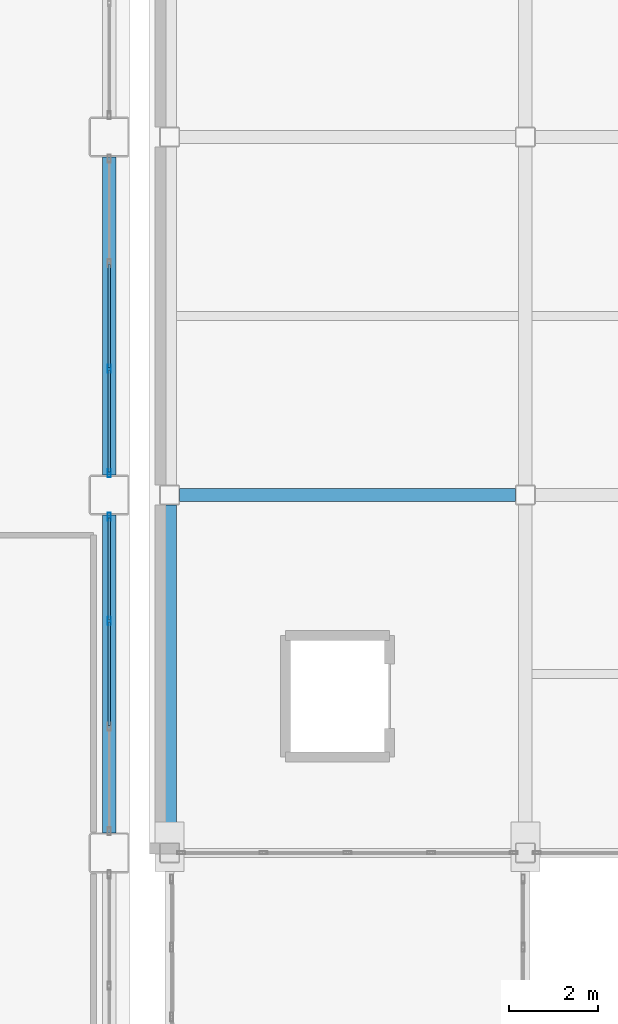
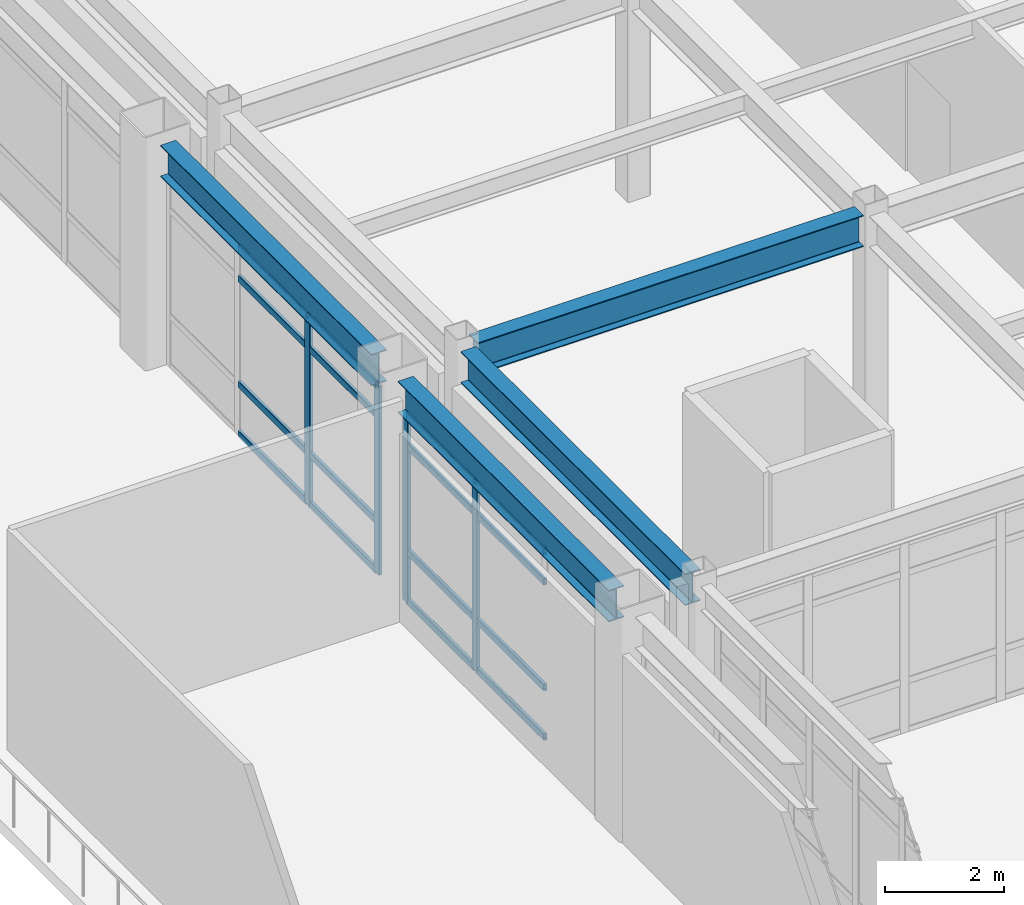
# One storey, part 66 of 172: 20 members, 4 beams, 2 elements without a shape of their own.
"""IFC4 building model written with IfcOpenShell, lengths in metres."""

from ifc_helpers import new_model, si_unit, direction, frame, origin, origin_2d, place, context, subcontext, project, spatial, hollow_rectangle, i_section, extrude, material, layer, layer_set, material_profile, profile_set, type_object, element, aggregate, save


model = new_model("IFC4")

# Units and contexts
model_context = context("Model", 3, precision=1e-05, world=origin(), true_north=direction((0.0, 1.0)))
body_context = subcontext(model_context, "Body", "Model", "MODEL_VIEW")
ifc_project = project(units=[si_unit("LENGTHUNIT", "METRE"), si_unit("AREAUNIT", "SQUARE_METRE"), si_unit("VOLUMEUNIT", "CUBIC_METRE"), si_unit("PLANEANGLEUNIT", "RADIAN"), si_unit("MASSUNIT", "GRAM", prefix="KILO")], contexts=[model_context])

# Site, building, storey
site_placement = place(None, origin())
site = spatial("IfcSite", under=ifc_project, at=site_placement, CompositionType="ELEMENT")
building_placement = place(site_placement, origin())
building = spatial("IfcBuilding", under=site, at=building_placement, Name="Kazehara Bluff Congress Hotel", CompositionType="ELEMENT")
storey_placement = place(building_placement, frame((0.0, 0.0, 5.39990234375)))
storey = spatial("IfcBuildingStorey", under=building, at=storey_placement, Name="L01", CompositionType="ELEMENT", Elevation=5.39990234375)

# Curtain wall, members
ifc_material_1 = material(Name="Anodised aluminium", Category="aluminium")
ifc_layer = layer(ifc_material_1, 0.159912109375)
ifc_layer_set = layer_set([ifc_layer], Name="Anodised aluminium")
curtain_wall_type = type_object("IfcCurtainWallType", Name="TP-CW-20", PredefinedType="NOTDEFINED", material=ifc_layer_set)
curtain_wall_1_placement = place(storey_placement, origin())
curtain_wall_1 = element("IfcCurtainWall", 1, at=curtain_wall_1_placement, inside=storey, type_object=curtain_wall_type, Name="L01 curtain wall CW-20 CW-V1-L01-X5835-8135", PredefinedType="NOTDEFINED")
ifc_material_2 = material(Name="Anodised aluminium", Category="aluminium")
ifc_material_profile_1 = material_profile(ifc_material_2, hollow_rectangle(XDim=0.06494140625, YDim=0.179931640625, WallThickness=0.00390625, InnerFilletRadius=0.00390625, OuterFilletRadius=0.008056640625, at=origin_2d()))
ifc_profile_set_1 = profile_set([ifc_material_profile_1], Name="Anodised aluminium")
member_type_1 = type_object("IfcMemberType", Name="TP-CWM-02", PredefinedType="MULLION", material=ifc_profile_set_1)
member_1_placement = place(storey_placement, frame((58.35009765625, 86.083251953125, 0.0), z_axis=(0.0, 0.0, 1.0), x_axis=(-1.0, 0.0, 0.0)))
member_1 = element("IfcMember", 2, at=member_1_placement, type_object=member_type_1, Name="CW-20 mullion 3", PredefinedType="MULLION", context=body_context, shape_type="SweptSolid", body=[
    extrude(hollow_rectangle(XDim=0.06494140625, YDim=0.179931640625, WallThickness=0.00390625, InnerFilletRadius=0.00390625, OuterFilletRadius=0.008056640625, at=origin_2d()), origin(), (0.0, 0.0, 1.0), 3.875),
])
member_2_placement = place(storey_placement, frame((58.35009765625, 88.41748046875, 0.0), z_axis=(0.0, 0.0, 1.0), x_axis=(-1.0, 0.0, 0.0)))
member_2 = element("IfcMember", 3, at=member_2_placement, type_object=member_type_1, Name="CW-20 mullion 4", PredefinedType="MULLION", context=body_context, shape_type="SweptSolid", body=[
    extrude(hollow_rectangle(XDim=0.06494140625, YDim=0.179931640625, WallThickness=0.00390625, InnerFilletRadius=0.00390625, OuterFilletRadius=0.008056640625, at=origin_2d()), origin(), (0.0, 0.0, 1.0), 3.875),
])

curtain_wall_2_placement = place(storey_placement, origin())
curtain_wall_2 = element("IfcCurtainWall", 4, at=curtain_wall_2_placement, inside=storey, type_object=curtain_wall_type, Name="L01 curtain wall CW-20 CW-V1-L01-X5835-8935", PredefinedType="NOTDEFINED")
member_3_placement = place(storey_placement, frame((58.35009765625, 89.382568359375, 0.0), z_axis=(0.0, 0.0, 1.0), x_axis=(-1.0, 0.0, 0.0)))
member_3 = element("IfcMember", 5, at=member_3_placement, type_object=member_type_1, Name="CW-20 mullion 1", PredefinedType="MULLION", context=body_context, shape_type="SweptSolid", body=[
    extrude(hollow_rectangle(XDim=0.06494140625, YDim=0.179931640625, WallThickness=0.00390625, InnerFilletRadius=0.00390625, OuterFilletRadius=0.008056640625, at=origin_2d()), origin(), (0.0, 0.0, 1.0), 3.875),
])
member_4_placement = place(storey_placement, frame((58.35009765625, 91.716552734375, 0.0), z_axis=(0.0, 0.0, 1.0), x_axis=(-1.0, 0.0, 0.0)))
member_4 = element("IfcMember", 6, at=member_4_placement, type_object=member_type_1, Name="CW-20 mullion 2", PredefinedType="MULLION", context=body_context, shape_type="SweptSolid", body=[
    extrude(hollow_rectangle(XDim=0.06494140625, YDim=0.179931640625, WallThickness=0.00390625, InnerFilletRadius=0.00390625, OuterFilletRadius=0.008056640625, at=origin_2d()), origin(), (0.0, 0.0, 1.0), 3.875),
])

# Member
ifc_material_3 = material(Name="Anodised aluminium", Category="aluminium")
ifc_material_profile_2 = material_profile(ifc_material_3, hollow_rectangle(XDim=0.06494140625, YDim=0.139892578125, WallThickness=0.00390625, InnerFilletRadius=0.00390625, OuterFilletRadius=0.008056640625, at=origin_2d()))
ifc_profile_set_2 = profile_set([ifc_material_profile_2], Name="Anodised aluminium")
member_type_2 = type_object("IfcMemberType", Name="TP-CWT-02", PredefinedType="USERDEFINED", material=ifc_profile_set_2)
member_5_placement = place(storey_placement, frame((58.35009765625, 83.749267578125, 0.03271484375), z_axis=(0.0, 1.0, 0.0), x_axis=(-1.0, 0.0, 0.0)))
member_5 = element("IfcMember", 7, at=member_5_placement, type_object=member_type_2, Name="CW-20 transom 2.1", ObjectType="TRANSOM", PredefinedType="USERDEFINED", context=body_context, shape_type="SweptSolid", body=[
    extrude(hollow_rectangle(XDim=0.06494140625, YDim=0.139892578125, WallThickness=0.00390625, InnerFilletRadius=0.00390625, OuterFilletRadius=0.008056640625, at=origin_2d()), origin(), (0.0, 0.0, 1.0), 2.301513671875),
])

member_6_placement = place(storey_placement, frame((58.35009765625, 83.749267578125, 1.050048828125), z_axis=(0.0, 1.0, 0.0), x_axis=(-1.0, 0.0, 0.0)))
member_6 = element("IfcMember", 8, at=member_6_placement, type_object=member_type_2, Name="CW-20 transom 2.2", ObjectType="TRANSOM", PredefinedType="USERDEFINED", context=body_context, shape_type="SweptSolid", body=[
    extrude(hollow_rectangle(XDim=0.06494140625, YDim=0.139892578125, WallThickness=0.00390625, InnerFilletRadius=0.00390625, OuterFilletRadius=0.008056640625, at=origin_2d()), origin(), (0.0, 0.0, 1.0), 2.301513671875),
])

member_7_placement = place(storey_placement, frame((58.35009765625, 83.749267578125, 3.22509765625), z_axis=(0.0, 1.0, 0.0), x_axis=(-1.0, 0.0, 0.0)))
member_7 = element("IfcMember", 9, at=member_7_placement, type_object=member_type_2, Name="CW-20 transom 2.3", ObjectType="TRANSOM", PredefinedType="USERDEFINED", context=body_context, shape_type="SweptSolid", body=[
    extrude(hollow_rectangle(XDim=0.06494140625, YDim=0.139892578125, WallThickness=0.00390625, InnerFilletRadius=0.00390625, OuterFilletRadius=0.008056640625, at=origin_2d()), origin(), (0.0, 0.0, 1.0), 2.301513671875),
])

member_8_placement = place(storey_placement, frame((58.35009765625, 83.749267578125, 3.842529296875), z_axis=(0.0, 1.0, 0.0), x_axis=(-1.0, 0.0, 0.0)))
member_8 = element("IfcMember", 10, at=member_8_placement, type_object=member_type_2, Name="CW-20 transom 2.4", ObjectType="TRANSOM", PredefinedType="USERDEFINED", context=body_context, shape_type="SweptSolid", body=[
    extrude(hollow_rectangle(XDim=0.06494140625, YDim=0.139892578125, WallThickness=0.00390625, InnerFilletRadius=0.00390625, OuterFilletRadius=0.008056640625, at=origin_2d()), origin(), (0.0, 0.0, 1.0), 2.301513671875),
])

member_9_placement = place(storey_placement, frame((58.35009765625, 86.11572265625, 0.03271484375), z_axis=(0.0, 1.0, 0.0), x_axis=(-1.0, 0.0, 0.0)))
member_9 = element("IfcMember", 11, at=member_9_placement, type_object=member_type_2, Name="CW-20 transom 3.1", ObjectType="TRANSOM", PredefinedType="USERDEFINED", context=body_context, shape_type="SweptSolid", body=[
    extrude(hollow_rectangle(XDim=0.06494140625, YDim=0.139892578125, WallThickness=0.00390625, InnerFilletRadius=0.00390625, OuterFilletRadius=0.008056640625, at=origin_2d()), origin(), (0.0, 0.0, 1.0), 2.269287109375),
])

member_10_placement = place(storey_placement, frame((58.35009765625, 86.11572265625, 1.050048828125), z_axis=(0.0, 1.0, 0.0), x_axis=(-1.0, 0.0, 0.0)))
member_10 = element("IfcMember", 12, at=member_10_placement, type_object=member_type_2, Name="CW-20 transom 3.2", ObjectType="TRANSOM", PredefinedType="USERDEFINED", context=body_context, shape_type="SweptSolid", body=[
    extrude(hollow_rectangle(XDim=0.06494140625, YDim=0.139892578125, WallThickness=0.00390625, InnerFilletRadius=0.00390625, OuterFilletRadius=0.008056640625, at=origin_2d()), origin(), (0.0, 0.0, 1.0), 2.269287109375),
])

member_11_placement = place(storey_placement, frame((58.35009765625, 86.11572265625, 3.22509765625), z_axis=(0.0, 1.0, 0.0), x_axis=(-1.0, 0.0, 0.0)))
member_11 = element("IfcMember", 13, at=member_11_placement, type_object=member_type_2, Name="CW-20 transom 3.3", ObjectType="TRANSOM", PredefinedType="USERDEFINED", context=body_context, shape_type="SweptSolid", body=[
    extrude(hollow_rectangle(XDim=0.06494140625, YDim=0.139892578125, WallThickness=0.00390625, InnerFilletRadius=0.00390625, OuterFilletRadius=0.008056640625, at=origin_2d()), origin(), (0.0, 0.0, 1.0), 2.269287109375),
])

member_12_placement = place(storey_placement, frame((58.35009765625, 86.11572265625, 3.842529296875), z_axis=(0.0, 1.0, 0.0), x_axis=(-1.0, 0.0, 0.0)))
member_12 = element("IfcMember", 14, at=member_12_placement, type_object=member_type_2, Name="CW-20 transom 3.4", ObjectType="TRANSOM", PredefinedType="USERDEFINED", context=body_context, shape_type="SweptSolid", body=[
    extrude(hollow_rectangle(XDim=0.06494140625, YDim=0.139892578125, WallThickness=0.00390625, InnerFilletRadius=0.00390625, OuterFilletRadius=0.008056640625, at=origin_2d()), origin(), (0.0, 0.0, 1.0), 2.269287109375),
])

aggregate(curtain_wall_1, [member_1, member_2, member_5, member_6, member_7, member_8, member_9, member_10, member_11, member_12])

member_13_placement = place(storey_placement, frame((58.35009765625, 89.4150390625, 0.03271484375), z_axis=(0.0, 1.0, 0.0), x_axis=(-1.0, 0.0, 0.0)))
member_13 = element("IfcMember", 15, at=member_13_placement, type_object=member_type_2, Name="CW-20 transom 1.1", ObjectType="TRANSOM", PredefinedType="USERDEFINED", context=body_context, shape_type="SweptSolid", body=[
    extrude(hollow_rectangle(XDim=0.06494140625, YDim=0.139892578125, WallThickness=0.00390625, InnerFilletRadius=0.00390625, OuterFilletRadius=0.008056640625, at=origin_2d()), origin(), (0.0, 0.0, 1.0), 2.26904296875),
])

member_14_placement = place(storey_placement, frame((58.35009765625, 89.4150390625, 1.050048828125), z_axis=(0.0, 1.0, 0.0), x_axis=(-1.0, 0.0, 0.0)))
member_14 = element("IfcMember", 16, at=member_14_placement, type_object=member_type_2, Name="CW-20 transom 1.2", ObjectType="TRANSOM", PredefinedType="USERDEFINED", context=body_context, shape_type="SweptSolid", body=[
    extrude(hollow_rectangle(XDim=0.06494140625, YDim=0.139892578125, WallThickness=0.00390625, InnerFilletRadius=0.00390625, OuterFilletRadius=0.008056640625, at=origin_2d()), origin(), (0.0, 0.0, 1.0), 2.26904296875),
])

member_15_placement = place(storey_placement, frame((58.35009765625, 89.4150390625, 3.22509765625), z_axis=(0.0, 1.0, 0.0), x_axis=(-1.0, 0.0, 0.0)))
member_15 = element("IfcMember", 17, at=member_15_placement, type_object=member_type_2, Name="CW-20 transom 1.3", ObjectType="TRANSOM", PredefinedType="USERDEFINED", context=body_context, shape_type="SweptSolid", body=[
    extrude(hollow_rectangle(XDim=0.06494140625, YDim=0.139892578125, WallThickness=0.00390625, InnerFilletRadius=0.00390625, OuterFilletRadius=0.008056640625, at=origin_2d()), origin(), (0.0, 0.0, 1.0), 2.26904296875),
])

member_16_placement = place(storey_placement, frame((58.35009765625, 89.4150390625, 3.842529296875), z_axis=(0.0, 1.0, 0.0), x_axis=(-1.0, 0.0, 0.0)))
member_16 = element("IfcMember", 18, at=member_16_placement, type_object=member_type_2, Name="CW-20 transom 1.4", ObjectType="TRANSOM", PredefinedType="USERDEFINED", context=body_context, shape_type="SweptSolid", body=[
    extrude(hollow_rectangle(XDim=0.06494140625, YDim=0.139892578125, WallThickness=0.00390625, InnerFilletRadius=0.00390625, OuterFilletRadius=0.008056640625, at=origin_2d()), origin(), (0.0, 0.0, 1.0), 2.26904296875),
])

member_17_placement = place(storey_placement, frame((58.35009765625, 91.749267578125, 0.03271484375), z_axis=(0.0, 1.0, 0.0), x_axis=(-1.0, 0.0, 0.0)))
member_17 = element("IfcMember", 19, at=member_17_placement, type_object=member_type_2, Name="CW-20 transom 2.1", ObjectType="TRANSOM", PredefinedType="USERDEFINED", context=body_context, shape_type="SweptSolid", body=[
    extrude(hollow_rectangle(XDim=0.06494140625, YDim=0.139892578125, WallThickness=0.00390625, InnerFilletRadius=0.00390625, OuterFilletRadius=0.008056640625, at=origin_2d()), origin(), (0.0, 0.0, 1.0), 2.301513671875),
])

member_18_placement = place(storey_placement, frame((58.35009765625, 91.749267578125, 1.050048828125), z_axis=(0.0, 1.0, 0.0), x_axis=(-1.0, 0.0, 0.0)))
member_18 = element("IfcMember", 20, at=member_18_placement, type_object=member_type_2, Name="CW-20 transom 2.2", ObjectType="TRANSOM", PredefinedType="USERDEFINED", context=body_context, shape_type="SweptSolid", body=[
    extrude(hollow_rectangle(XDim=0.06494140625, YDim=0.139892578125, WallThickness=0.00390625, InnerFilletRadius=0.00390625, OuterFilletRadius=0.008056640625, at=origin_2d()), origin(), (0.0, 0.0, 1.0), 2.301513671875),
])

member_19_placement = place(storey_placement, frame((58.35009765625, 91.749267578125, 3.22509765625), z_axis=(0.0, 1.0, 0.0), x_axis=(-1.0, 0.0, 0.0)))
member_19 = element("IfcMember", 21, at=member_19_placement, type_object=member_type_2, Name="CW-20 transom 2.3", ObjectType="TRANSOM", PredefinedType="USERDEFINED", context=body_context, shape_type="SweptSolid", body=[
    extrude(hollow_rectangle(XDim=0.06494140625, YDim=0.139892578125, WallThickness=0.00390625, InnerFilletRadius=0.00390625, OuterFilletRadius=0.008056640625, at=origin_2d()), origin(), (0.0, 0.0, 1.0), 2.301513671875),
])

member_20_placement = place(storey_placement, frame((58.35009765625, 91.749267578125, 3.842529296875), z_axis=(0.0, 1.0, 0.0), x_axis=(-1.0, 0.0, 0.0)))
member_20 = element("IfcMember", 22, at=member_20_placement, type_object=member_type_2, Name="CW-20 transom 2.4", ObjectType="TRANSOM", PredefinedType="USERDEFINED", context=body_context, shape_type="SweptSolid", body=[
    extrude(hollow_rectangle(XDim=0.06494140625, YDim=0.139892578125, WallThickness=0.00390625, InnerFilletRadius=0.00390625, OuterFilletRadius=0.008056640625, at=origin_2d()), origin(), (0.0, 0.0, 1.0), 2.301513671875),
])

aggregate(curtain_wall_2, [member_3, member_4, member_13, member_14, member_15, member_16, member_17, member_18, member_19, member_20])

# Beams
ifc_material_4 = material(Name="Steel SN490B", Category="steel")
ifc_material_profile_3 = material_profile(ifc_material_4, i_section(OverallWidth=0.300048828125, OverallDepth=0.64990234375, WebThickness=0.011962890625, FlangeThickness=0.02001953125, FilletRadius=0.012939453125, at=origin_2d()))
ifc_profile_set_3 = profile_set([ifc_material_profile_3], Name="Steel SN490B")
beam_type = type_object("IfcBeamType", Name="TP-G-03", PredefinedType="BEAM", material=ifc_profile_set_3)
for number, where, z_axis, x_axis, name in (
    (23, (58.35009765625, 81.35009765625, 4.22509765625), (0.0, 1.0, 0.0), (-1.0, 0.0, 0.0), "L01 girder G-03 21"),
    (24, (58.35009765625, 89.35009765625, 4.22509765625), (0.0, 1.0, 0.0), (-1.0, 0.0, 0.0), "L01 girder G-03 22"),
):
    element("IfcBeam", number, at=place(storey_placement, frame(where, z_axis=z_axis, x_axis=x_axis)), inside=storey, type_object=beam_type, Name=name, PredefinedType="BEAM", context=body_context, shape_type="SweptSolid", body=[
        extrude(i_section(OverallWidth=0.300048828125, OverallDepth=0.64990234375, WebThickness=0.011962890625, FlangeThickness=0.02001953125, FilletRadius=0.012939453125, at=origin_2d()), origin(), (0.0, 0.0, 1.0), 7.099853515625),
    ])
beam_1_placement = place(storey_placement, frame((59.699951171875, 81.125, 4.22509765625), z_axis=(0.0, 1.0, 0.0), x_axis=(-1.0, 0.0, 0.0)))
element("IfcBeam", 25, at=beam_1_placement, inside=storey, type_object=beam_type, Name="L01 girder G-03 99", PredefinedType="BEAM", context=body_context, shape_type="SweptSolid", body=[
    extrude(i_section(OverallWidth=0.300048828125, OverallDepth=0.64990234375, WebThickness=0.011962890625, FlangeThickness=0.02001953125, FilletRadius=0.012939453125, at=origin_2d()), origin(), (0.0, 0.0, 1.0), 7.550048828125),
])
beam_2_placement = place(storey_placement, frame((59.925048828125, 88.89990234375, 4.22509765625), z_axis=(1.0, 0.0, 0.0), x_axis=(0.0, 1.0, 0.0)))
element("IfcBeam", 26, at=beam_2_placement, inside=storey, type_object=beam_type, Name="L01 girder G-03 128", PredefinedType="BEAM", context=body_context, shape_type="SweptSolid", body=[
    extrude(i_section(OverallWidth=0.300048828125, OverallDepth=0.64990234375, WebThickness=0.011962890625, FlangeThickness=0.02001953125, FilletRadius=0.012939453125, at=origin_2d()), origin(), (0.0, 0.0, 1.0), 7.5),
])

save(model, "model.ifc")
